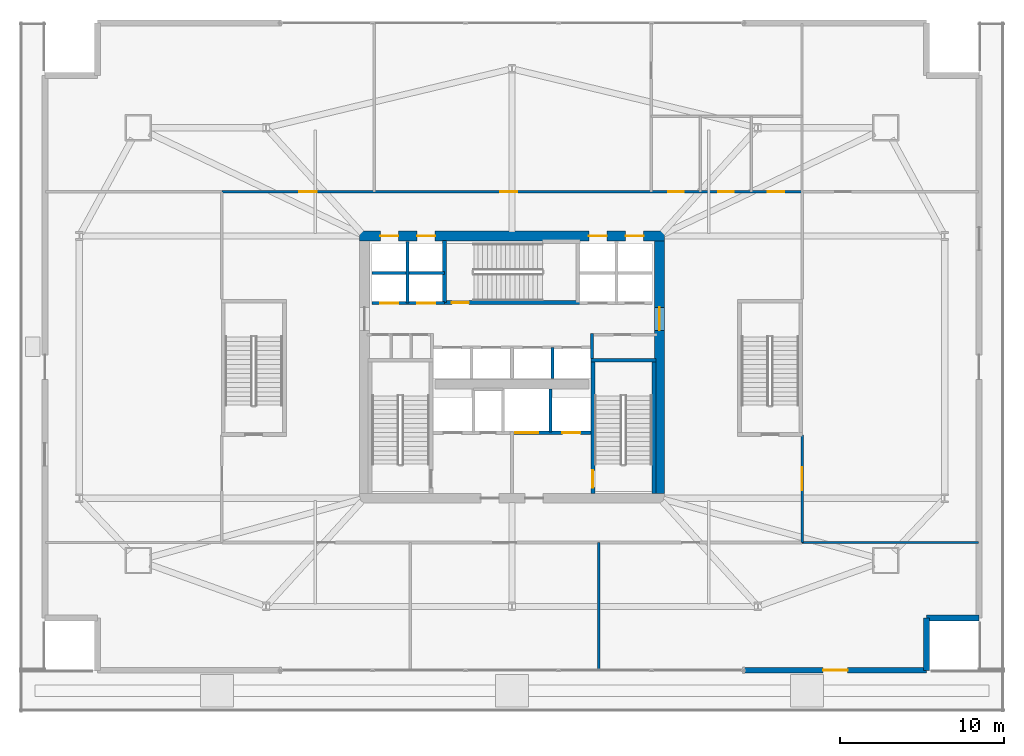
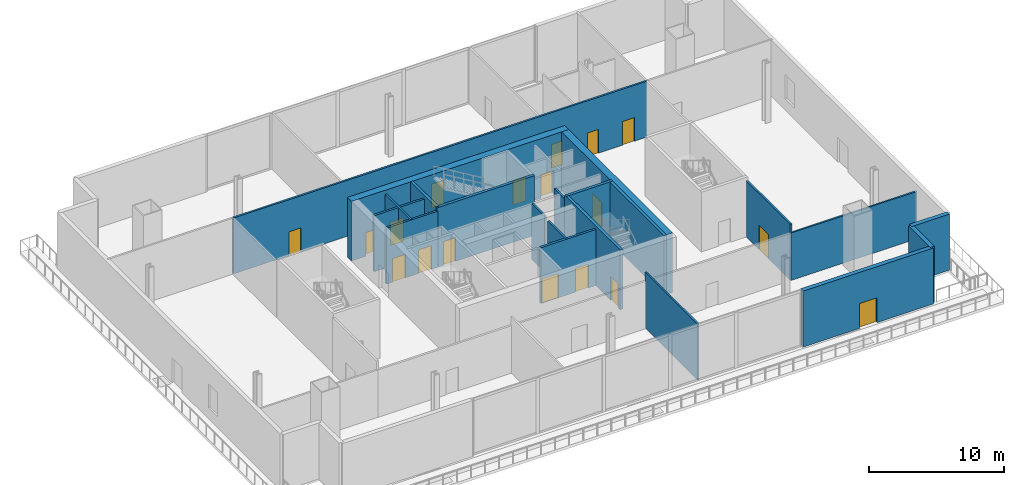
# One storey, part 12 of 20: 21 walls, 18 doors, 18 openings.
"""IFC4 building model written with IfcOpenShell, lengths in metres."""

from ifc_helpers import new_model, si_unit, direction, frame, frame_2d, origin, place, context, subcontext, project, spatial, rectangle, extrude, material, layer, layer_set, type_object, element, fill, save


model = new_model("IFC4")

# Units and contexts
model_context = context("Model", 3, precision=1e-05, world=origin(), true_north=direction((0.0, 1.0)))
body_context = subcontext(model_context, "Body", "Model", "MODEL_VIEW")
ifc_project = project(units=[si_unit("LENGTHUNIT", "METRE"), si_unit("AREAUNIT", "SQUARE_METRE"), si_unit("VOLUMEUNIT", "CUBIC_METRE"), si_unit("PLANEANGLEUNIT", "RADIAN"), si_unit("MASSUNIT", "GRAM", prefix="KILO")], contexts=[model_context])

# Site, building, storey
site_placement = place(None, origin())
site = spatial("IfcSite", under=ifc_project, at=site_placement, CompositionType="ELEMENT")
building_placement = place(site_placement, origin())
building = spatial("IfcBuilding", under=site, at=building_placement, Name="Haldenkirk Collegiate Tower", CompositionType="ELEMENT")
storey_placement = place(building_placement, frame((0.0, 0.0, 11.39990234375)))
storey = spatial("IfcBuildingStorey", under=building, at=storey_placement, Name="L02", CompositionType="ELEMENT", Elevation=11.39990234375)

# Wall, openings, doors
ifc_material_1 = material(Name="Concrete f'c 70 MPa", Category="concrete")
ifc_layer_1 = layer(ifc_material_1, 0.60009765625)
ifc_layer_set_1 = layer_set([ifc_layer_1], Name="Concrete f'c 70 MPa")
wall_type_1 = type_object("IfcWallType", Name="WL-CORE-600", PredefinedType="SHEAR", material=ifc_layer_set_1)
wall_1_placement = place(storey_placement, frame((26.699951171875, 34.0, 0.0), z_axis=(0.0, 0.0, 1.0), x_axis=(1.0, 0.0, 0.0)))
wall_1 = element("IfcWall", 1, at=wall_1_placement, inside=storey, type_object=wall_type_1, Name="L02 central core shear wall N", PredefinedType="SHEAR", context=body_context, shape_type="SweptSolid", body=[
    extrude(rectangle(XDim=18.60009765625, YDim=0.60009765625, at=frame_2d((9.300048828125, 0.0))), origin(), (0.0, 0.0, 1.0), 5.400146484375),
])
opening_1_placement = place(wall_1_placement, frame((1.264892578125, 0.0, 0.0)))
opening_1 = element("IfcOpeningElement", 2, at=opening_1_placement, cuts=wall_1, Name="Opening LD-11", PredefinedType="OPENING", context=body_context, shape_type="SweptSolid", body=[
    extrude(rectangle(XDim=1.10009765625, YDim=2.14990234375, at=frame_2d((0.550048828125, 1.074951171875))), frame((0.0, 0.31005859375, 0.0), z_axis=(0.0, -1.0, 0.0), x_axis=(1.0, 0.0, 0.0)), (0.0, 0.0, 1.0), 0.6201171875),
])
opening_2_placement = place(wall_1_placement, frame((3.514892578125, 0.0, 0.0)))
opening_2 = element("IfcOpeningElement", 3, at=opening_2_placement, cuts=wall_1, Name="Opening LD-11", PredefinedType="OPENING", context=body_context, shape_type="SweptSolid", body=[
    extrude(rectangle(XDim=1.10009765625, YDim=2.14990234375, at=frame_2d((0.550048828125, 1.074951171875))), frame((0.0, 0.31005859375, 0.0), z_axis=(0.0, -1.0, 0.0), x_axis=(1.0, 0.0, 0.0)), (0.0, 0.0, 1.0), 0.6201171875),
])
opening_3_placement = place(wall_1_placement, frame((13.985107421875, 0.0, 0.0)))
opening_3 = element("IfcOpeningElement", 4, at=opening_3_placement, cuts=wall_1, Name="Opening LD-11", PredefinedType="OPENING", context=body_context, shape_type="SweptSolid", body=[
    extrude(rectangle(XDim=1.10009765625, YDim=2.14990234375, at=frame_2d((0.550048828125, 1.074951171875))), frame((0.0, 0.31005859375, 0.0), z_axis=(0.0, -1.0, 0.0), x_axis=(1.0, 0.0, 0.0)), (0.0, 0.0, 1.0), 0.6201171875),
])
opening_4_placement = place(wall_1_placement, frame((16.235107421875, 0.0, 0.0)))
opening_4 = element("IfcOpeningElement", 5, at=opening_4_placement, cuts=wall_1, Name="Opening LD-11", PredefinedType="OPENING", context=body_context, shape_type="SweptSolid", body=[
    extrude(rectangle(XDim=1.10009765625, YDim=2.14990234375, at=frame_2d((0.550048828125, 1.074951171875))), frame((0.0, 0.31005859375, 0.0), z_axis=(0.0, -1.0, 0.0), x_axis=(1.0, 0.0, 0.0)), (0.0, 0.0, 1.0), 0.6201171875),
])
ifc_material_2 = material(Name="Brushed architectural stainless steel", Category="steel")
ifc_layer_2 = layer(ifc_material_2, 0.06005859375)
ifc_layer_set_2 = layer_set([ifc_layer_2], Name="Brushed architectural stainless steel")
door_type_1 = type_object("IfcDoorType", Name="LD-PASS-1100", OperationType="NOTDEFINED", PredefinedType="DOOR", material=ifc_layer_set_2)
door_1_placement = place(opening_1_placement, origin())
door_1 = element("IfcDoor", 6, at=door_1_placement, inside=storey, type_object=door_type_1, Name="L02 Elevator PL3 sliding landing door", OperationType="SLIDING_TO_LEFT", OverallHeight=2.14990234375, OverallWidth=1.10009765625, PredefinedType="DOOR", context=body_context, shape_type="SweptSolid", body=[
    extrude(rectangle(XDim=1.10009765625, YDim=2.14990234375, at=frame_2d((0.550048828125, 1.074951171875))), frame((0.0, 0.02490234375, 0.0), z_axis=(0.0, -1.0, 0.0), x_axis=(1.0, 0.0, 0.0)), (0.0, 0.0, 1.0), 0.050048828125),
])
fill(opening_1, door_1)
door_2_placement = place(opening_2_placement, origin())
door_2 = element("IfcDoor", 7, at=door_2_placement, inside=storey, type_object=door_type_1, Name="L02 Elevator PL4 sliding landing door", OperationType="SLIDING_TO_LEFT", OverallHeight=2.14990234375, OverallWidth=1.10009765625, PredefinedType="DOOR", context=body_context, shape_type="SweptSolid", body=[
    extrude(rectangle(XDim=1.10009765625, YDim=2.14990234375, at=frame_2d((0.550048828125, 1.074951171875))), frame((0.0, 0.02490234375, 0.0), z_axis=(0.0, -1.0, 0.0), x_axis=(1.0, 0.0, 0.0)), (0.0, 0.0, 1.0), 0.050048828125),
])
fill(opening_2, door_2)
door_3_placement = place(opening_3_placement, origin())
door_3 = element("IfcDoor", 8, at=door_3_placement, inside=storey, type_object=door_type_1, Name="L02 Elevator PM3 sliding landing door", OperationType="SLIDING_TO_LEFT", OverallHeight=2.14990234375, OverallWidth=1.10009765625, PredefinedType="DOOR", context=body_context, shape_type="SweptSolid", body=[
    extrude(rectangle(XDim=1.10009765625, YDim=2.14990234375, at=frame_2d((0.550048828125, 1.074951171875))), frame((0.0, 0.02490234375, 0.0), z_axis=(0.0, -1.0, 0.0), x_axis=(1.0, 0.0, 0.0)), (0.0, 0.0, 1.0), 0.050048828125),
])
fill(opening_3, door_3)
door_4_placement = place(opening_4_placement, origin())
door_4 = element("IfcDoor", 9, at=door_4_placement, inside=storey, type_object=door_type_1, Name="L02 Elevator PM4 sliding landing door", OperationType="SLIDING_TO_LEFT", OverallHeight=2.14990234375, OverallWidth=1.10009765625, PredefinedType="DOOR", context=body_context, shape_type="SweptSolid", body=[
    extrude(rectangle(XDim=1.10009765625, YDim=2.14990234375, at=frame_2d((0.550048828125, 1.074951171875))), frame((0.0, 0.02490234375, 0.0), z_axis=(0.0, -1.0, 0.0), x_axis=(1.0, 0.0, 0.0)), (0.0, 0.0, 1.0), 0.050048828125),
])
fill(opening_4, door_4)

# Wall, opening, door
wall_2_placement = place(storey_placement, frame((45.0, 18.300048828125, 0.0), z_axis=(0.0, 0.0, 1.0), x_axis=(0.0, 1.0, 0.0)))
wall_2 = element("IfcWall", 10, at=wall_2_placement, inside=storey, type_object=wall_type_1, Name="L02 central core shear wall E", PredefinedType="SHEAR", context=body_context, shape_type="SweptSolid", body=[
    extrude(rectangle(XDim=15.39990234375, YDim=0.60009765625, at=frame_2d((7.699951171875, 0.0))), origin(), (0.0, 0.0, 1.0), 5.400146484375),
])
opening_5_placement = place(wall_2_placement, frame((9.93994140625, 0.0, 0.0)))
opening_5 = element("IfcOpeningElement", 11, at=opening_5_placement, cuts=wall_2, Name="Opening D-03", PredefinedType="OPENING", context=body_context, shape_type="SweptSolid", body=[
    extrude(rectangle(XDim=1.39990234375, YDim=2.199951171875, at=frame_2d((0.699951171875, 1.10009765625))), frame((0.0, 0.31005859375, 0.0), z_axis=(0.0, -1.0, 0.0), x_axis=(1.0, 0.0, 0.0)), (0.0, 0.0, 1.0), 0.6201171875),
])
ifc_material_3 = material(Name="Galvanized fire-rated hollow steel door", Category="steel")
ifc_layer_3 = layer(ifc_material_3, 0.06005859375)
ifc_layer_set_3 = layer_set([ifc_layer_3], Name="Galvanized fire-rated hollow steel door")
door_type_2 = type_object("IfcDoorType", Name="DR-LOBBY-FD90-1400", OperationType="NOTDEFINED", PredefinedType="DOOR", material=ifc_layer_set_3)
door_5_placement = place(opening_5_placement, origin())
door_5 = element("IfcDoor", 12, at=door_5_placement, inside=storey, type_object=door_type_2, Name="L02 east lift lobby portal", OperationType="DOUBLE_DOOR_SINGLE_SWING", OverallHeight=2.199951171875, OverallWidth=1.39990234375, PredefinedType="DOOR", context=body_context, shape_type="SweptSolid", body=[
    extrude(rectangle(XDim=1.39990234375, YDim=2.199951171875, at=frame_2d((0.699951171875, 1.10009765625))), frame((0.0, 0.02490234375, 0.0), z_axis=(0.0, -1.0, 0.0), x_axis=(1.0, 0.0, 0.0)), (0.0, 0.0, 1.0), 0.050048828125),
])
fill(opening_5, door_5)

ifc_material_4 = material(Name="Precast concrete f'c 40 MPa", Category="concrete")
ifc_layer_4 = layer(ifc_material_4, 0.360107421875)
ifc_layer_set_4 = layer_set([ifc_layer_4], Name="Precast concrete f'c 40 MPa")
wall_type_2 = type_object("IfcWallType", Name="WL-EXT-POD-360", PredefinedType="STANDARD", material=ifc_layer_set_4)
wall_3_placement = place(storey_placement, frame((61.300048828125, 7.5, 0.0), z_axis=(0.0, 0.0, 1.0), x_axis=(-1.0, 0.0, 0.0)))
wall_3 = element("IfcWall", 13, at=wall_3_placement, inside=storey, type_object=wall_type_2, Name="L02 podium precast frame pier 1L", PredefinedType="STANDARD", context=body_context, shape_type="SweptSolid", body=[
    extrude(rectangle(XDim=11.132080078125, YDim=0.360107421875, at=frame_2d((5.56591796875, 0.0))), origin(), (0.0, 0.0, 1.0), 5.070068359375),
])
opening_6_placement = place(wall_3_placement, frame((4.81591796875, 0.0, 0.0)))
opening_6 = element("IfcOpeningElement", 14, at=opening_6_placement, cuts=wall_3, Name="Opening D-PT15", PredefinedType="OPENING", context=body_context, shape_type="SweptSolid", body=[
    extrude(rectangle(XDim=1.5, YDim=2.25, at=frame_2d((0.75, 1.125))), frame((0.0, 0.18994140625, 0.0), z_axis=(0.0, -1.0, 0.0), x_axis=(1.0, 0.0, 0.0)), (0.0, 0.0, 1.0), 0.380126953125),
])
ifc_material_5 = material(Name="Anodised architectural bronze aluminium", Category="aluminium")
ifc_layer_5 = layer(ifc_material_5, 0.080078125)
ifc_layer_set_5 = layer_set([ifc_layer_5], Name="Anodised architectural bronze aluminium")
door_type_3 = type_object("IfcDoorType", Name="DR-EXT-PTER-1500", OperationType="NOTDEFINED", PredefinedType="DOOR", material=ifc_layer_set_5)
door_6_placement = place(opening_6_placement, origin())
door_6 = element("IfcDoor", 15, at=door_6_placement, inside=storey, type_object=door_type_3, Name="L02 south cascade terrace door", OperationType="DOUBLE_DOOR_SINGLE_SWING", OverallHeight=2.25, OverallWidth=1.5, PredefinedType="DOOR", context=body_context, shape_type="SweptSolid", body=[
    extrude(rectangle(XDim=1.5, YDim=2.25, at=frame_2d((0.75, 1.125))), frame((0.0, 0.02490234375, 0.0), z_axis=(0.0, -1.0, 0.0), x_axis=(1.0, 0.0, 0.0)), (0.0, 0.0, 1.0), 0.050048828125),
])
fill(opening_6, door_6)

# Walls
for number, where, z_axis, x_axis, name in (
    (16, (61.300048828125, 10.699951171875, 0.0), (0.0, 0.0, 1.0), (0.0, -1.0, 0.0), "L02 podium bronze precast wall 02"),
    (17, (64.5, 10.699951171875, 0.0), (0.0, 0.0, 1.0), (-1.0, 0.0, 0.0), "L02 podium bronze precast wall 03"),
):
    element("IfcWall", number, at=place(storey_placement, frame(where, z_axis=z_axis, x_axis=x_axis)), inside=storey, type_object=wall_type_2, Name=name, PredefinedType="STANDARD", context=body_context, shape_type="SweptSolid", body=[
        extrude(rectangle(XDim=3.199951171875, YDim=0.360107421875, at=frame_2d((1.60009765625, 0.0))), origin(), (0.0, 0.0, 1.0), 5.070068359375),
    ])
ifc_material_6 = material(Name="Acoustic fire-rated gypsum partition", Category="concrete")
ifc_layer_6 = layer(ifc_material_6, 0.159912109375)
ifc_layer_set_6 = layer_set([ifc_layer_6], Name="Acoustic fire-rated gypsum partition")
wall_type_3 = type_object("IfcWallType", Name="WL-INT-CORR-160", PredefinedType="PARTITIONING", material=ifc_layer_set_6)
wall_4_placement = place(storey_placement, frame((40.8798828125, 26.5400390625, 0.0), z_axis=(0.0, 0.0, 1.0), x_axis=(0.0, 1.0, 0.0)))
element("IfcWall", 18, at=wall_4_placement, inside=storey, type_object=wall_type_3, Name="L02 interior partition IW-L02-VCSE-W", PredefinedType="PARTITIONING", context=body_context, shape_type="SweptSolid", body=[
    extrude(rectangle(XDim=1.510009765625, YDim=0.159912109375, at=frame_2d((0.7548828125, 0.0))), origin(), (0.0, 0.0, 1.0), 5.070068359375),
])

# Wall, openings, doors
wall_5_placement = place(storey_placement, frame((18.300048828125, 36.699951171875, 0.0), z_axis=(0.0, 0.0, 1.0), x_axis=(1.0, 0.0, 0.0)))
wall_5 = element("IfcWall", 19, at=wall_5_placement, inside=storey, type_object=wall_type_3, Name="L02 interior partition IW-L02-CN", PredefinedType="PARTITIONING", context=body_context, shape_type="SweptSolid", body=[
    extrude(rectangle(XDim=35.39990234375, YDim=0.159912109375, at=frame_2d((17.699951171875, 0.0))), origin(), (0.0, 0.0, 1.0), 5.070068359375),
])
opening_7_placement = place(wall_5_placement, frame((4.72509765625, 0.0, 0.0)))
opening_7 = element("IfcOpeningElement", 20, at=opening_7_placement, cuts=wall_5, Name="Opening D-09", PredefinedType="OPENING", context=body_context, shape_type="SweptSolid", body=[
    extrude(rectangle(XDim=1.050048828125, YDim=2.14990234375, at=frame_2d((0.52490234375, 1.074951171875))), frame((0.0, 0.08984375, 0.0), z_axis=(0.0, -1.0, 0.0), x_axis=(1.0, 0.0, 0.0)), (0.0, 0.0, 1.0), 0.179931640625),
])
opening_8_placement = place(wall_5_placement, frame((16.97509765625, 0.0, 0.0)))
opening_8 = element("IfcOpeningElement", 21, at=opening_8_placement, cuts=wall_5, Name="Opening D-09", PredefinedType="OPENING", context=body_context, shape_type="SweptSolid", body=[
    extrude(rectangle(XDim=1.050048828125, YDim=2.14990234375, at=frame_2d((0.52490234375, 1.074951171875))), frame((0.0, 0.08984375, 0.0), z_axis=(0.0, -1.0, 0.0), x_axis=(1.0, 0.0, 0.0)), (0.0, 0.0, 1.0), 0.179931640625),
])
opening_9_placement = place(wall_5_placement, frame((27.22509765625, 0.0, 0.0)))
opening_9 = element("IfcOpeningElement", 22, at=opening_9_placement, cuts=wall_5, Name="Opening D-12", PredefinedType="OPENING", context=body_context, shape_type="SweptSolid", body=[
    extrude(rectangle(XDim=0.949951171875, YDim=2.14990234375, at=frame_2d((0.47509765625, 1.074951171875))), frame((0.0, 0.08984375, 0.0), z_axis=(0.0, -1.0, 0.0), x_axis=(1.0, 0.0, 0.0)), (0.0, 0.0, 1.0), 0.179931640625),
])
opening_10_placement = place(wall_5_placement, frame((30.27490234375, 0.0, 0.0)))
opening_10 = element("IfcOpeningElement", 23, at=opening_10_placement, cuts=wall_5, Name="Opening D-12", PredefinedType="OPENING", context=body_context, shape_type="SweptSolid", body=[
    extrude(rectangle(XDim=0.949951171875, YDim=2.14990234375, at=frame_2d((0.47509765625, 1.074951171875))), frame((0.0, 0.08984375, 0.0), z_axis=(0.0, -1.0, 0.0), x_axis=(1.0, 0.0, 0.0)), (0.0, 0.0, 1.0), 0.179931640625),
])
opening_11_placement = place(wall_5_placement, frame((33.300048828125, 0.0, 0.0)))
opening_11 = element("IfcOpeningElement", 24, at=opening_11_placement, cuts=wall_5, Name="Opening D-14", PredefinedType="OPENING", context=body_context, shape_type="SweptSolid", body=[
    extrude(rectangle(XDim=1.0, YDim=2.14990234375, at=frame_2d((0.5, 1.074951171875))), frame((0.0, 0.08984375, 0.0), z_axis=(0.0, -1.0, 0.0), x_axis=(1.0, 0.0, 0.0)), (0.0, 0.0, 1.0), 0.179931640625),
])
ifc_material_7 = material(Name="Solid-core architectural oak fire door", Category="wood")
ifc_layer_7 = layer(ifc_material_7, 0.06005859375)
ifc_layer_set_7 = layer_set([ifc_layer_7], Name="Solid-core architectural oak fire door")
door_type_4 = type_object("IfcDoorType", Name="DR-INT-ACC-1000", OperationType="NOTDEFINED", PredefinedType="DOOR", material=ifc_layer_set_7)
door_7_placement = place(opening_11_placement, origin())
door_7 = element("IfcDoor", 25, at=door_7_placement, inside=storey, type_object=door_type_4, Name="L02 Accessible WC door", OperationType="SINGLE_SWING_LEFT", OverallHeight=2.14990234375, OverallWidth=1.0, PredefinedType="DOOR", context=body_context, shape_type="SweptSolid", body=[
    extrude(rectangle(XDim=1.0, YDim=2.14990234375, at=frame_2d((0.5, 1.074951171875))), frame((0.0, 0.02490234375, 0.0), z_axis=(0.0, -1.0, 0.0), x_axis=(1.0, 0.0, 0.0)), (0.0, 0.0, 1.0), 0.050048828125),
])
fill(opening_11, door_7)
ifc_layer_8 = layer(ifc_material_7, 0.06005859375)
ifc_layer_set_8 = layer_set([ifc_layer_8], Name="Solid-core architectural oak fire door")
door_type_5 = type_object("IfcDoorType", Name="DR-INT-FD60-1050", OperationType="NOTDEFINED", PredefinedType="DOOR", material=ifc_layer_set_8)
door_8_placement = place(opening_7_placement, origin())
door_8 = element("IfcDoor", 26, at=door_8_placement, inside=storey, type_object=door_type_5, Name="L02 north-west door", OperationType="SINGLE_SWING_RIGHT", OverallHeight=2.14990234375, OverallWidth=1.050048828125, PredefinedType="DOOR", context=body_context, shape_type="SweptSolid", body=[
    extrude(rectangle(XDim=1.050048828125, YDim=2.14990234375, at=frame_2d((0.52490234375, 1.074951171875))), frame((0.0, 0.02490234375, 0.0), z_axis=(0.0, -1.0, 0.0), x_axis=(1.0, 0.0, 0.0)), (0.0, 0.0, 1.0), 0.050048828125),
])
fill(opening_7, door_8)
door_9_placement = place(opening_8_placement, origin())
door_9 = element("IfcDoor", 27, at=door_9_placement, inside=storey, type_object=door_type_5, Name="L02 north door", OperationType="SINGLE_SWING_LEFT", OverallHeight=2.14990234375, OverallWidth=1.050048828125, PredefinedType="DOOR", context=body_context, shape_type="SweptSolid", body=[
    extrude(rectangle(XDim=1.050048828125, YDim=2.14990234375, at=frame_2d((0.52490234375, 1.074951171875))), frame((0.0, 0.02490234375, 0.0), z_axis=(0.0, -1.0, 0.0), x_axis=(1.0, 0.0, 0.0)), (0.0, 0.0, 1.0), 0.050048828125),
])
fill(opening_8, door_9)
ifc_layer_9 = layer(ifc_material_7, 0.06005859375)
ifc_layer_set_9 = layer_set([ifc_layer_9], Name="Solid-core architectural oak fire door")
door_type_6 = type_object("IfcDoorType", Name="DR-INT-STD-950", OperationType="NOTDEFINED", PredefinedType="DOOR", material=ifc_layer_set_9)
door_10_placement = place(opening_9_placement, origin())
door_10 = element("IfcDoor", 28, at=door_10_placement, inside=storey, type_object=door_type_6, Name="L02 Male WC door", OperationType="SINGLE_SWING_LEFT", OverallHeight=2.14990234375, OverallWidth=0.949951171875, PredefinedType="DOOR", context=body_context, shape_type="SweptSolid", body=[
    extrude(rectangle(XDim=0.949951171875, YDim=2.14990234375, at=frame_2d((0.47509765625, 1.074951171875))), frame((0.0, 0.02490234375, 0.0), z_axis=(0.0, -1.0, 0.0), x_axis=(1.0, 0.0, 0.0)), (0.0, 0.0, 1.0), 0.050048828125),
])
fill(opening_9, door_10)
door_11_placement = place(opening_10_placement, origin())
door_11 = element("IfcDoor", 29, at=door_11_placement, inside=storey, type_object=door_type_6, Name="L02 Female WC door", OperationType="SINGLE_SWING_RIGHT", OverallHeight=2.14990234375, OverallWidth=0.949951171875, PredefinedType="DOOR", context=body_context, shape_type="SweptSolid", body=[
    extrude(rectangle(XDim=0.949951171875, YDim=2.14990234375, at=frame_2d((0.47509765625, 1.074951171875))), frame((0.0, 0.02490234375, 0.0), z_axis=(0.0, -1.0, 0.0), x_axis=(1.0, 0.0, 0.0)), (0.0, 0.0, 1.0), 0.050048828125),
])
fill(opening_10, door_11)

# Wall, opening, door
wall_6_placement = place(storey_placement, frame((53.699951171875, 15.300048828125, 0.0), z_axis=(0.0, 0.0, 1.0), x_axis=(0.0, 1.0, 0.0)))
wall_6 = element("IfcWall", 30, at=wall_6_placement, inside=storey, type_object=wall_type_3, Name="L02 interior partition IW-L02-CE1", PredefinedType="PARTITIONING", context=body_context, shape_type="SweptSolid", body=[
    extrude(rectangle(XDim=6.550048828125, YDim=0.159912109375, at=frame_2d((3.27490234375, 0.0))), origin(), (0.0, 0.0, 1.0), 5.070068359375),
])
opening_12_placement = place(wall_6_placement, frame((3.199951171875, 0.0, 0.0)))
opening_12 = element("IfcOpeningElement", 31, at=opening_12_placement, cuts=wall_6, Name="Opening D-07", PredefinedType="OPENING", context=body_context, shape_type="SweptSolid", body=[
    extrude(rectangle(XDim=1.39990234375, YDim=2.199951171875, at=frame_2d((0.699951171875, 1.10009765625))), frame((0.0, 0.08984375, 0.0), z_axis=(0.0, -1.0, 0.0), x_axis=(1.0, 0.0, 0.0)), (0.0, 0.0, 1.0), 0.179931640625),
])
ifc_layer_10 = layer(ifc_material_3, 0.06005859375)
ifc_layer_set_10 = layer_set([ifc_layer_10], Name="Galvanized fire-rated hollow steel door")
door_type_7 = type_object("IfcDoorType", Name="DR-LOBBY-FD60-1400", OperationType="NOTDEFINED", PredefinedType="DOOR", material=ifc_layer_set_10)
door_12_placement = place(opening_12_placement, origin())
door_12 = element("IfcDoor", 32, at=door_12_placement, inside=storey, type_object=door_type_7, Name="L02 east wing door", OperationType="DOUBLE_DOOR_SINGLE_SWING", OverallHeight=2.199951171875, OverallWidth=1.39990234375, PredefinedType="DOOR", context=body_context, shape_type="SweptSolid", body=[
    extrude(rectangle(XDim=1.39990234375, YDim=2.199951171875, at=frame_2d((0.699951171875, 1.10009765625))), frame((0.0, 0.02490234375, 0.0), z_axis=(0.0, -1.0, 0.0), x_axis=(1.0, 0.0, 0.0)), (0.0, 0.0, 1.0), 0.050048828125),
])
fill(opening_12, door_12)

# Walls
ifc_layer_11 = layer(ifc_material_6, 0.139892578125)
ifc_layer_set_11 = layer_set([ifc_layer_11], Name="Acoustic fire-rated gypsum partition")
wall_type_4 = type_object("IfcWallType", Name="WL-INT-DIV-140", PredefinedType="PARTITIONING", material=ifc_layer_set_11)
wall_7_placement = place(storey_placement, frame((53.699951171875, 15.300048828125, 0.0), z_axis=(0.0, 0.0, 1.0), x_axis=(1.0, 0.0, 0.0)))
element("IfcWall", 33, at=wall_7_placement, inside=storey, type_object=wall_type_4, Name="L02 interior partition IW-L02-ECS1", PredefinedType="PARTITIONING", context=body_context, shape_type="SweptSolid", body=[
    extrude(rectangle(XDim=10.760009765625, YDim=0.139892578125, at=frame_2d((5.3798828125, 0.0))), origin(), (0.0, 0.0, 1.0), 4.2919921875),
])
wall_8_placement = place(storey_placement, frame((41.300048828125, 7.5400390625, 0.0), z_axis=(0.0, 0.0, 1.0), x_axis=(0.0, 1.0, 0.0)))
element("IfcWall", 34, at=wall_8_placement, inside=storey, type_object=wall_type_4, Name="L02 interior partition IW-L02-SD2", PredefinedType="PARTITIONING", context=body_context, shape_type="SweptSolid", body=[
    extrude(rectangle(XDim=7.760009765625, YDim=0.139892578125, at=frame_2d((3.8798828125, 0.0))), origin(), (0.0, 0.0, 1.0), 5.070068359375),
])
ifc_material_8 = material(Name="Fire-rated gypsum shaftboard assembly", Category="concrete")
ifc_layer_12 = layer(ifc_material_8, 0.179931640625)
ifc_layer_set_12 = layer_set([ifc_layer_12], Name="Fire-rated gypsum shaftboard assembly")
wall_type_5 = type_object("IfcWallType", Name="WL-INT-SHAFT-180", PredefinedType="PARTITIONING", material=ifc_layer_set_12)
wall_9_placement = place(storey_placement, frame((38.35009765625, 22.050048828125, 0.0), z_axis=(0.0, 0.0, 1.0), x_axis=(0.0, 1.0, 0.0)))
element("IfcWall", 35, at=wall_9_placement, inside=storey, type_object=wall_type_5, Name="L02 interior partition IW-L02-GL1E", PredefinedType="PARTITIONING", context=body_context, shape_type="SweptSolid", body=[
    extrude(rectangle(XDim=2.599853515625, YDim=0.179931640625, at=frame_2d((1.2998046875, 0.0))), origin(), (0.0, 0.0, 1.0), 5.070068359375),
])

# Wall, openings, doors
wall_10_placement = place(storey_placement, frame((27.449951171875, 29.89990234375, 0.0), z_axis=(0.0, 0.0, 1.0), x_axis=(1.0, 0.0, 0.0)))
wall_10 = element("IfcWall", 36, at=wall_10_placement, inside=storey, type_object=wall_type_5, Name="L02 interior partition IW-L02-PLS", PredefinedType="PARTITIONING", context=body_context, shape_type="SweptSolid", body=[
    extrude(rectangle(XDim=4.429931640625, YDim=0.179931640625, at=frame_2d((2.21484375, 0.0))), origin(), (0.0, 0.0, 1.0), 5.070068359375),
])
opening_13_placement = place(wall_10_placement, frame((0.514892578125, 0.0, 0.0)))
opening_13 = element("IfcOpeningElement", 37, at=opening_13_placement, cuts=wall_10, Name="Opening LD-11", PredefinedType="OPENING", context=body_context, shape_type="SweptSolid", body=[
    extrude(rectangle(XDim=1.10009765625, YDim=2.14990234375, at=frame_2d((0.550048828125, 1.074951171875))), frame((0.0, 0.099853515625, 0.0), z_axis=(0.0, -1.0, 0.0), x_axis=(1.0, 0.0, 0.0)), (0.0, 0.0, 1.0), 0.199951171875),
])
opening_14_placement = place(wall_10_placement, frame((2.764892578125, 0.0, 0.0)))
opening_14 = element("IfcOpeningElement", 38, at=opening_14_placement, cuts=wall_10, Name="Opening LD-11", PredefinedType="OPENING", context=body_context, shape_type="SweptSolid", body=[
    extrude(rectangle(XDim=1.10009765625, YDim=2.14990234375, at=frame_2d((0.550048828125, 1.074951171875))), frame((0.0, 0.099853515625, 0.0), z_axis=(0.0, -1.0, 0.0), x_axis=(1.0, 0.0, 0.0)), (0.0, 0.0, 1.0), 0.199951171875),
])
door_13_placement = place(opening_13_placement, origin())
door_13 = element("IfcDoor", 39, at=door_13_placement, inside=storey, type_object=door_type_1, Name="L02 Elevator PL1 sliding landing door", OperationType="SLIDING_TO_LEFT", OverallHeight=2.14990234375, OverallWidth=1.10009765625, PredefinedType="DOOR", context=body_context, shape_type="SweptSolid", body=[
    extrude(rectangle(XDim=1.10009765625, YDim=2.14990234375, at=frame_2d((0.550048828125, 1.074951171875))), frame((0.0, 0.02490234375, 0.0), z_axis=(0.0, -1.0, 0.0), x_axis=(1.0, 0.0, 0.0)), (0.0, 0.0, 1.0), 0.050048828125),
])
fill(opening_13, door_13)
door_14_placement = place(opening_14_placement, origin())
door_14 = element("IfcDoor", 40, at=door_14_placement, inside=storey, type_object=door_type_1, Name="L02 Elevator PL2 sliding landing door", OperationType="SLIDING_TO_LEFT", OverallHeight=2.14990234375, OverallWidth=1.10009765625, PredefinedType="DOOR", context=body_context, shape_type="SweptSolid", body=[
    extrude(rectangle(XDim=1.10009765625, YDim=2.14990234375, at=frame_2d((0.550048828125, 1.074951171875))), frame((0.0, 0.02490234375, 0.0), z_axis=(0.0, -1.0, 0.0), x_axis=(1.0, 0.0, 0.0)), (0.0, 0.0, 1.0), 0.050048828125),
])
fill(opening_14, door_14)

# Walls
wall_11_placement = place(storey_placement, frame((27.449951171875, 31.75, 0.0), z_axis=(0.0, 0.0, 1.0), x_axis=(1.0, 0.0, 0.0)))
element("IfcWall", 41, at=wall_11_placement, inside=storey, type_object=wall_type_5, Name="L02 interior partition IW-L02-PLM", PredefinedType="PARTITIONING", context=body_context, shape_type="SweptSolid", body=[
    extrude(rectangle(XDim=4.429931640625, YDim=0.179931640625, at=frame_2d((2.21484375, 0.0))), origin(), (0.0, 0.0, 1.0), 5.070068359375),
])
wall_12_placement = place(storey_placement, frame((29.6298828125, 29.89990234375, 0.0), z_axis=(0.0, 0.0, 1.0), x_axis=(0.0, 1.0, 0.0)))
element("IfcWall", 42, at=wall_12_placement, inside=storey, type_object=wall_type_5, Name="L02 interior partition IW-L02-PLV", PredefinedType="PARTITIONING", context=body_context, shape_type="SweptSolid", body=[
    extrude(rectangle(XDim=3.75, YDim=0.179931640625, at=frame_2d((1.875, 0.0))), origin(), (0.0, 0.0, 1.0), 5.070068359375),
])
wall_13_placement = place(storey_placement, frame((38.4599609375, 25.300048828125, 0.0), z_axis=(0.0, 0.0, 1.0), x_axis=(0.0, 1.0, 0.0)))
element("IfcWall", 43, at=wall_13_placement, inside=storey, type_object=wall_type_5, Name="L02 interior partition IW-L02-PHV3", PredefinedType="PARTITIONING", context=body_context, shape_type="SweptSolid", body=[
    extrude(rectangle(XDim=1.89990234375, YDim=0.179931640625, at=frame_2d((0.949951171875, 0.0))), origin(), (0.0, 0.0, 1.0), 5.070068359375),
])

# Wall, openings, doors
ifc_layer_13 = layer(ifc_material_8, 0.199951171875)
ifc_layer_set_13 = layer_set([ifc_layer_13], Name="Fire-rated gypsum shaftboard assembly")
wall_type_6 = type_object("IfcWallType", Name="WL-INT-SHAFT-200", PredefinedType="PARTITIONING", material=ifc_layer_set_13)
wall_14_placement = place(storey_placement, frame((36.1201171875, 22.0, 0.0), z_axis=(0.0, 0.0, 1.0), x_axis=(1.0, 0.0, 0.0)))
wall_14 = element("IfcWall", 44, at=wall_14_placement, inside=storey, type_object=wall_type_6, Name="L02 interior partition IW-L02-FFL2N", PredefinedType="PARTITIONING", context=body_context, shape_type="SweptSolid", body=[
    extrude(rectangle(XDim=4.68994140625, YDim=0.199951171875, at=frame_2d((2.344970703125, 0.0))), origin(), (0.0, 0.0, 1.0), 5.070068359375),
])
opening_15_placement = place(wall_14_placement, frame((2.955078125, 0.0, 0.0)))
opening_15 = element("IfcOpeningElement", 45, at=opening_15_placement, cuts=wall_14, Name="Opening LD-12", PredefinedType="OPENING", context=body_context, shape_type="SweptSolid", body=[
    extrude(rectangle(XDim=1.10009765625, YDim=2.14990234375, at=frame_2d((0.550048828125, 1.074951171875))), frame((0.0, 0.10986328125, 0.0), z_axis=(0.0, -1.0, 0.0), x_axis=(1.0, 0.0, 0.0)), (0.0, 0.0, 1.0), 0.219970703125),
])
opening_16_placement = place(wall_14_placement, frame((0.080078125, 0.0, 0.0)))
opening_16 = element("IfcOpeningElement", 46, at=opening_16_placement, cuts=wall_14, Name="Opening LD-13", PredefinedType="OPENING", context=body_context, shape_type="SweptSolid", body=[
    extrude(rectangle(XDim=1.39990234375, YDim=2.199951171875, at=frame_2d((0.699951171875, 1.10009765625))), frame((0.0, 0.10986328125, 0.0), z_axis=(0.0, -1.0, 0.0), x_axis=(1.0, 0.0, 0.0)), (0.0, 0.0, 1.0), 0.219970703125),
])
ifc_layer_14 = layer(ifc_material_2, 0.06005859375)
ifc_layer_set_14 = layer_set([ifc_layer_14], Name="Brushed architectural stainless steel")
door_type_8 = type_object("IfcDoorType", Name="LD-FIRE-1100", OperationType="NOTDEFINED", PredefinedType="DOOR", material=ifc_layer_set_14)
door_15_placement = place(opening_15_placement, origin())
door_15 = element("IfcDoor", 47, at=door_15_placement, inside=storey, type_object=door_type_8, Name="L02 Elevator FL2 sliding landing door", OperationType="SLIDING_TO_LEFT", OverallHeight=2.14990234375, OverallWidth=1.10009765625, PredefinedType="DOOR", context=body_context, shape_type="SweptSolid", body=[
    extrude(rectangle(XDim=1.10009765625, YDim=2.14990234375, at=frame_2d((0.550048828125, 1.074951171875))), frame((0.0, 0.02490234375, 0.0), z_axis=(0.0, -1.0, 0.0), x_axis=(1.0, 0.0, 0.0)), (0.0, 0.0, 1.0), 0.050048828125),
])
fill(opening_15, door_15)
ifc_layer_15 = layer(ifc_material_2, 0.06005859375)
ifc_layer_set_15 = layer_set([ifc_layer_15], Name="Brushed architectural stainless steel")
door_type_9 = type_object("IfcDoorType", Name="LD-GOODS-1400", OperationType="NOTDEFINED", PredefinedType="DOOR", material=ifc_layer_set_15)
door_16_placement = place(opening_16_placement, origin())
door_16 = element("IfcDoor", 48, at=door_16_placement, inside=storey, type_object=door_type_9, Name="L02 Elevator GL1 sliding landing door", OperationType="SLIDING_TO_LEFT", OverallHeight=2.199951171875, OverallWidth=1.39990234375, PredefinedType="DOOR", context=body_context, shape_type="SweptSolid", body=[
    extrude(rectangle(XDim=1.39990234375, YDim=2.199951171875, at=frame_2d((0.699951171875, 1.10009765625))), frame((0.0, 0.02490234375, 0.0), z_axis=(0.0, -1.0, 0.0), x_axis=(1.0, 0.0, 0.0)), (0.0, 0.0, 1.0), 0.050048828125),
])
fill(opening_16, door_16)

# Wall, opening, door
ifc_material_9 = material(Name="Concrete f'c 55 MPa", Category="concrete")
ifc_layer_16 = layer(ifc_material_9, 0.239990234375)
ifc_layer_set_16 = layer_set([ifc_layer_16], Name="Concrete f'c 55 MPa")
wall_type_7 = type_object("IfcWallType", Name="WL-SHAFT-240", PredefinedType="SHEAR", material=ifc_layer_set_16)
wall_15_placement = place(storey_placement, frame((40.929931640625, 18.280029296875, 0.0), z_axis=(0.0, 0.0, 1.0), x_axis=(0.0, 1.0, 0.0)))
wall_15 = element("IfcWall", 49, at=wall_15_placement, inside=storey, type_object=wall_type_7, Name="L02 stair shaft shear wall SW-L02-ST2W", PredefinedType="SHEAR", context=body_context, shape_type="SweptSolid", body=[
    extrude(rectangle(XDim=8.260009765625, YDim=0.239990234375, at=frame_2d((4.1298828125, 0.0))), origin(), (0.0, 0.0, 1.0), 5.400146484375),
])
opening_17_placement = place(wall_15_placement, frame((0.364990234375, 0.0, 0.0)))
opening_17 = element("IfcOpeningElement", 50, at=opening_17_placement, cuts=wall_15, Name="Opening D-01", PredefinedType="OPENING", context=body_context, shape_type="SweptSolid", body=[
    extrude(rectangle(XDim=1.050048828125, YDim=2.14990234375, at=frame_2d((0.52490234375, 1.074951171875))), frame((0.0, 0.1298828125, 0.0), z_axis=(0.0, -1.0, 0.0), x_axis=(1.0, 0.0, 0.0)), (0.0, 0.0, 1.0), 0.260009765625),
])
ifc_layer_17 = layer(ifc_material_3, 0.06005859375)
ifc_layer_set_17 = layer_set([ifc_layer_17], Name="Galvanized fire-rated hollow steel door")
door_type_10 = type_object("IfcDoorType", Name="DR-STAIR-FD90-1050", OperationType="NOTDEFINED", PredefinedType="DOOR", material=ifc_layer_set_17)
door_17_placement = place(opening_17_placement, origin())
door_17 = element("IfcDoor", 51, at=door_17_placement, inside=storey, type_object=door_type_10, Name="L02 Stair 2 door", OperationType="SINGLE_SWING_RIGHT", OverallHeight=2.14990234375, OverallWidth=1.050048828125, PredefinedType="DOOR", context=body_context, shape_type="SweptSolid", body=[
    extrude(rectangle(XDim=1.050048828125, YDim=2.14990234375, at=frame_2d((0.52490234375, 1.074951171875))), frame((0.0, 0.02490234375, 0.0), z_axis=(0.0, -1.0, 0.0), x_axis=(1.0, 0.0, 0.0)), (0.0, 0.0, 1.0), 0.050048828125),
])
fill(opening_17, door_17)

# Walls
wall_16_placement = place(storey_placement, frame((40.81005859375, 26.419921875, 0.0), z_axis=(0.0, 0.0, 1.0), x_axis=(1.0, 0.0, 0.0)))
element("IfcWall", 52, at=wall_16_placement, inside=storey, type_object=wall_type_7, Name="L02 stair shaft shear wall SW-L02-ST2N", PredefinedType="SHEAR", context=body_context, shape_type="SweptSolid", body=[
    extrude(rectangle(XDim=3.97998046875, YDim=0.239990234375, at=frame_2d((1.989990234375, 0.0))), origin(), (0.0, 0.0, 1.0), 5.400146484375),
])
wall_17_placement = place(storey_placement, frame((44.669921875, 18.280029296875, 0.0), z_axis=(0.0, 0.0, 1.0), x_axis=(0.0, 1.0, 0.0)))
element("IfcWall", 53, at=wall_17_placement, inside=storey, type_object=wall_type_7, Name="L02 stair shaft shear wall SW-L02-ST2E", PredefinedType="SHEAR", context=body_context, shape_type="SweptSolid", body=[
    extrude(rectangle(XDim=8.260009765625, YDim=0.239990234375, at=frame_2d((4.1298828125, 0.0))), origin(), (0.0, 0.0, 1.0), 5.400146484375),
])

# Wall, opening, door
wall_18_placement = place(storey_placement, frame((31.760009765625, 29.929931640625, 0.0), z_axis=(0.0, 0.0, 1.0), x_axis=(1.0, 0.0, 0.0)))
wall_18 = element("IfcWall", 54, at=wall_18_placement, inside=storey, type_object=wall_type_7, Name="L02 stair shaft shear wall SW-L02-ST3S", PredefinedType="SHEAR", context=body_context, shape_type="SweptSolid", body=[
    extrude(rectangle(XDim=8.3798828125, YDim=0.239990234375, at=frame_2d((4.18994140625, 0.0))), origin(), (0.0, 0.0, 1.0), 5.400146484375),
])
opening_18_placement = place(wall_18_placement, frame((0.56494140625, 0.0, 0.0)))
opening_18 = element("IfcOpeningElement", 55, at=opening_18_placement, cuts=wall_18, Name="Opening D-01", PredefinedType="OPENING", context=body_context, shape_type="SweptSolid", body=[
    extrude(rectangle(XDim=1.050048828125, YDim=2.14990234375, at=frame_2d((0.52490234375, 1.074951171875))), frame((0.0, 0.1298828125, 0.0), z_axis=(0.0, -1.0, 0.0), x_axis=(1.0, 0.0, 0.0)), (0.0, 0.0, 1.0), 0.260009765625),
])
door_18_placement = place(opening_18_placement, origin())
door_18 = element("IfcDoor", 56, at=door_18_placement, inside=storey, type_object=door_type_10, Name="L02 lift lobby Stair 3 door", OperationType="SINGLE_SWING_RIGHT", OverallHeight=2.14990234375, OverallWidth=1.050048828125, PredefinedType="DOOR", context=body_context, shape_type="SweptSolid", body=[
    extrude(rectangle(XDim=1.050048828125, YDim=2.14990234375, at=frame_2d((0.52490234375, 1.074951171875))), frame((0.0, 0.02490234375, 0.0), z_axis=(0.0, -1.0, 0.0), x_axis=(1.0, 0.0, 0.0)), (0.0, 0.0, 1.0), 0.050048828125),
])
fill(opening_18, door_18)

# Wall
wall_19_placement = place(storey_placement, frame((31.8798828125, 29.929931640625, 0.0), z_axis=(0.0, 0.0, 1.0), x_axis=(0.0, 1.0, 0.0)))
element("IfcWall", 57, at=wall_19_placement, inside=storey, type_object=wall_type_7, Name="L02 stair shaft shear wall SW-L02-ST3W", PredefinedType="SHEAR", context=body_context, shape_type="SweptSolid", body=[
    extrude(rectangle(XDim=3.7900390625, YDim=0.239990234375, at=frame_2d((1.89501953125, 0.0))), origin(), (0.0, 0.0, 1.0), 5.400146484375),
])

save(model, "model.ifc")
